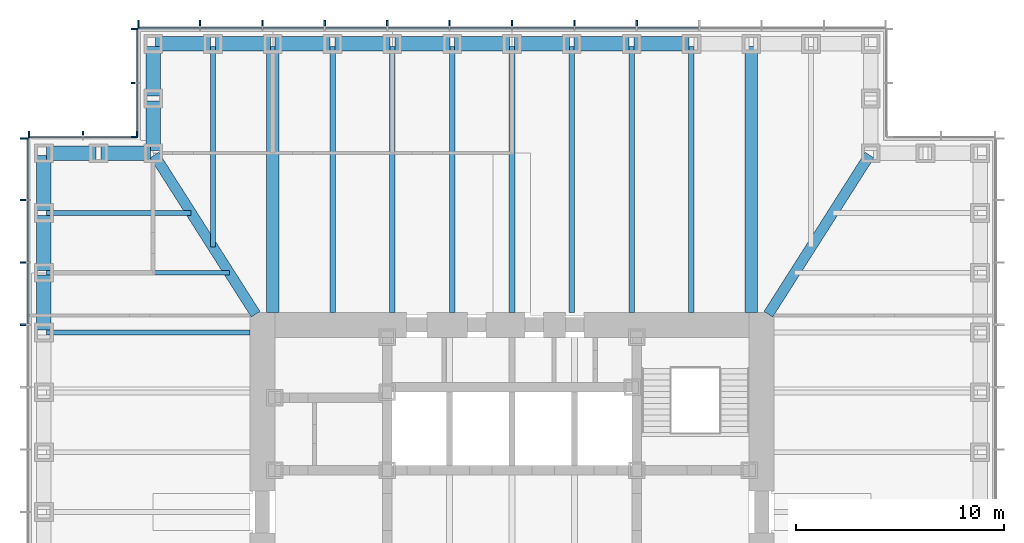
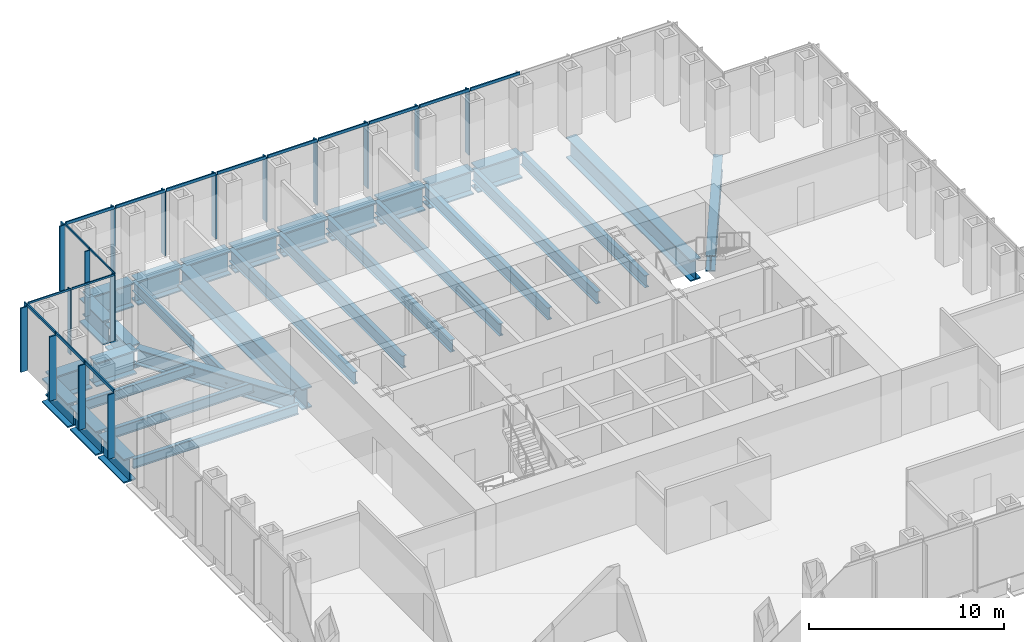
# One storey, part 5 of 16: 35 members, 31 beams, 4 elements without a shape of their own.
"""IFC4 building model written with IfcOpenShell, lengths in metres."""

import ifcopenshell
import ifcopenshell.guid

model = None  # the IFC model being written
_history = None  # IfcOwnerHistory: only IFC2X3 demands one
_inside = {}  # id of a spatial element -> (the spatial element, [elements in it])
_under = {}  # id of a project, library or spatial element -> (it, [spatial elements below it])
_declared = {}  # id of a project -> (the project, [libraries it declares])
_typed = {}  # id of a type object -> (the type object, [elements of that type])
_made_of = {}  # id of a material, layer set ... -> (it, [elements and type objects made of it])


def new_model(schema):
    """Start an empty IFC model of exactly this schema.

    Asked for "IFC4X3", IfcOpenShell would pick the latest addendum, in which some entities
    have other attributes; the version numbers below select the first issue.
    IFC2X3 requires an IfcOwnerHistory on every rooted entity: one is made here for all.
    """
    global model, _history
    if schema == "IFC4X3":
        model = ifcopenshell.file(schema_version=(4, 3, 0, 0))
    else:
        model = ifcopenshell.file(schema=schema)
    _inside.clear()
    _under.clear()
    _declared.clear()
    _typed.clear()
    _made_of.clear()
    _history = None
    if model.schema == "IFC2X3":
        org = make("IfcOrganization", Name="unknown")
        user = make(
            "IfcPersonAndOrganization",
            ThePerson=make("IfcPerson", FamilyName="unknown"),
            TheOrganization=org,
        )
        app = make(
            "IfcApplication",
            ApplicationDeveloper=org,
            Version="unknown",
            ApplicationFullName="unknown",
            ApplicationIdentifier="unknown",
        )
        _history = make(
            "IfcOwnerHistory",
            OwningUser=user,
            OwningApplication=app,
            ChangeAction="ADDED",
            CreationDate=0,
        )
    return model


def make(cls, **values):
    """One entity of the class cls with the attributes given. An attribute that is None is left unset."""
    return model.create_entity(
        cls, **{name: value for name, value in values.items() if value is not None}
    )


def rooted(cls, **values):
    """An entity with a GlobalId (a new one), such as an element, a storey or a relation."""
    return make(cls, GlobalId=ifcopenshell.guid.new(), OwnerHistory=_history, **values)


def si_unit(unit_type, name, prefix=None):
    """IfcSIUnit, for example si_unit("LENGTHUNIT", "METRE", prefix="MILLI")."""
    return make("IfcSIUnit", UnitType=unit_type, Prefix=prefix, Name=name)


def assignment(units):
    """IfcUnitAssignment: the units of a project."""
    return None if units is None else make("IfcUnitAssignment", Units=units)


def point(xyz):
    """IfcCartesianPoint."""
    return None if xyz is None else make("IfcCartesianPoint", Coordinates=xyz)


def direction(xyz):
    """IfcDirection."""
    return None if xyz is None else make("IfcDirection", DirectionRatios=xyz)


def frame(location, z_axis=None, x_axis=None):
    """IfcAxis2Placement3D, a coordinate frame: its origin and axes. An axis left out is left unset."""
    return make(
        "IfcAxis2Placement3D",
        Location=point(location),
        Axis=direction(z_axis),
        RefDirection=direction(x_axis),
    )


def frame_2d(location, x_axis=None):
    """IfcAxis2Placement2D, a coordinate frame in the plane: its origin and x axis."""
    return make(
        "IfcAxis2Placement2D", Location=point(location), RefDirection=direction(x_axis)
    )


def origin():
    """The frame at (0, 0, 0) with its axes left unset."""
    return frame((0.0, 0.0, 0.0))


def origin_2d():
    """The frame at (0, 0) in the plane with its x axis left unset."""
    return frame_2d((0.0, 0.0))


def place(relative_to, where):
    """IfcLocalPlacement: puts the frame where relative to a parent placement (None: the world)."""
    return make(
        "IfcLocalPlacement", PlacementRelTo=relative_to, RelativePlacement=where
    )


def context(
    kind, dimensions, precision=None, world=None, true_north=None, identifier=None
):
    """IfcGeometricRepresentationContext, for example the 3D "Model" context."""
    return make(
        "IfcGeometricRepresentationContext",
        ContextIdentifier=identifier,
        ContextType=kind,
        CoordinateSpaceDimension=dimensions,
        Precision=precision,
        WorldCoordinateSystem=world,
        TrueNorth=true_north,
    )


def subcontext(parent, identifier, kind, view, scale=None):
    """IfcGeometricRepresentationSubContext, for example "Body" below "Model"."""
    return make(
        "IfcGeometricRepresentationSubContext",
        ContextIdentifier=identifier,
        ContextType=kind,
        ParentContext=parent,
        TargetScale=scale,
        TargetView=view,
    )


def project(units=None, contexts=None):
    """IfcProject with its units and contexts."""
    return rooted(
        "IfcProject",
        Name="project",
        RepresentationContexts=contexts,
        UnitsInContext=assignment(units),
    )


def spatial(cls, under=None, at=None, **own):
    """A site, building, storey or space (cls), placed at a placement, below another one or the project."""
    s = rooted(cls, ObjectPlacement=at, **own)
    if under is not None:
        _under.setdefault(under.id(), (under, []))[1].append(s)
    return s


def profile(cls, at=None, kind="AREA", **sizes):
    """A parametric profile (cls). Its sizes go by their IFC names, for example OverallWidth=200.0."""
    return make(cls, ProfileType=kind, Position=at, **sizes)


def rectangle(**sizes):
    """IfcRectangleProfileDef."""
    return profile("IfcRectangleProfileDef", **sizes)


def i_section(**sizes):
    """IfcIShapeProfileDef."""
    return profile("IfcIShapeProfileDef", **sizes)


def extrude(swept, where, along, depth):
    """IfcExtrudedAreaSolid: the profile swept, set in the frame where, extruded along a direction by depth."""
    return make(
        "IfcExtrudedAreaSolid",
        SweptArea=swept,
        Position=where,
        ExtrudedDirection=direction(along),
        Depth=depth,
    )


def shape(context_of_items, identifier, shape_type, items):
    """IfcShapeRepresentation: the items that make up one representation, for example the "Body"."""
    return make(
        "IfcShapeRepresentation",
        ContextOfItems=context_of_items,
        RepresentationIdentifier=identifier,
        RepresentationType=shape_type,
        Items=items,
    )


def material(Name=None, Category=None):
    """IfcMaterial."""
    return make("IfcMaterial", Name=Name, Category=Category)


def material_profile(
    of_material, cross_section, Name=None, Category=None, Priority=None
):
    """IfcMaterialProfile: a cross section and its material."""
    return make(
        "IfcMaterialProfile",
        Name=Name,
        Material=of_material,
        Profile=cross_section,
        Priority=Priority,
        Category=Category,
    )


def profile_set(profiles, Name=None, composite=None):
    """IfcMaterialProfileSet."""
    return make(
        "IfcMaterialProfileSet",
        Name=Name,
        MaterialProfiles=profiles,
        CompositeProfile=composite,
    )


def made_of(thing, what):
    """Note that an element or type object is made of a material, layer set ...; save() writes the relation."""
    if what is not None:
        _made_of.setdefault(what.id(), (what, []))[1].append(thing)
    return thing


def type_object(cls, material=None, **own):
    """A type object (cls), such as IfcWallType, which elements share."""
    return made_of(rooted(cls, **own), material)


def element(
    cls,
    number,
    at=None,
    inside=None,
    cuts=None,
    type_object=None,
    material=None,
    context=None,
    identifier="Body",
    shape_type=None,
    held_by="IfcProductDefinitionShape",
    body=None,
    shapes=None,
    **own,
):
    """One element of the class cls, such as IfcWall. Its Tag is "e" and its number.

    at: its placement. inside: the storey or other place that contains it. cuts: it is an
    opening in that element (IfcRelVoidsElement). A single representation is given by context,
    identifier, shape_type and body (its items); several are given by shapes. held_by: the class
    of the entity that holds the representations. save() writes the other relations.
    """
    e = rooted(cls, Tag="e%d" % number, ObjectPlacement=at, **own)
    if body is not None:
        shapes = [shape(context, identifier, shape_type, body)]
    if shapes is not None:
        e.Representation = make(held_by, Representations=shapes)
    if inside is not None:
        _inside.setdefault(inside.id(), (inside, []))[1].append(e)
    if cuts is not None:
        rooted(
            "IfcRelVoidsElement", RelatingBuildingElement=cuts, RelatedOpeningElement=e
        )
    if type_object is not None:
        _typed.setdefault(type_object.id(), (type_object, []))[1].append(e)
    return made_of(e, material)


def aggregate(whole, parts):
    """IfcRelAggregates: a whole, such as a stair, and the parts it consists of."""
    return rooted("IfcRelAggregates", RelatingObject=whole, RelatedObjects=parts)


def save(model, path):
    """Write the relations noted so far, then the file.

    IfcRelAggregates (storeys below a building ...), IfcRelContainedInSpatialStructure (elements
    in a storey), IfcRelDefinesByType, IfcRelAssociatesMaterial and IfcRelDeclares: one each for
    every whole, place, type object, material and project.
    """
    for whole, parts in _under.values():
        aggregate(whole, parts)
    for where, things in _inside.values():
        rooted(
            "IfcRelContainedInSpatialStructure",
            RelatedElements=things,
            RelatingStructure=where,
        )
    for kind, things in _typed.values():
        rooted("IfcRelDefinesByType", RelatedObjects=things, RelatingType=kind)
    for what, things in _made_of.values():
        rooted("IfcRelAssociatesMaterial", RelatedObjects=things, RelatingMaterial=what)
    for by, libraries in _declared.values():
        rooted("IfcRelDeclares", RelatingContext=by, RelatedDefinitions=libraries)
    model.write(path)


model = new_model("IFC4")

# Units and contexts
model_context = context("Model", 3, precision=1e-05, world=origin(), true_north=direction((0.0, 1.0)))
body_context = subcontext(model_context, "Body", "Model", "MODEL_VIEW")
ifc_project = project(units=[si_unit("LENGTHUNIT", "METRE"), si_unit("AREAUNIT", "SQUARE_METRE"), si_unit("VOLUMEUNIT", "CUBIC_METRE"), si_unit("PLANEANGLEUNIT", "RADIAN"), si_unit("MASSUNIT", "GRAM", prefix="KILO")], contexts=[model_context])

# Site, building, storey
site_placement = place(None, origin())
site = spatial("IfcSite", under=ifc_project, at=site_placement, CompositionType="ELEMENT")
building_placement = place(site_placement, origin())
building = spatial("IfcBuilding", under=site, at=building_placement, Name="Daluyong Arena Tower", CompositionType="ELEMENT")
storey_placement = place(building_placement, frame((0.0, 0.0, 137.5)))
storey = spatial("IfcBuildingStorey", under=building, at=storey_placement, Name="L30", CompositionType="ELEMENT", Elevation=137.5)

# Curtain wall, members
ifc_material_1 = material(Name="Bronze anodised aluminium and glass", Category="aluminium")
curtain_wall_type_1 = type_object("IfcCurtainWallType", Name="Curtain wall CW2", PredefinedType="USERDEFINED", material=ifc_material_1)
curtain_wall_1_placement = place(storey_placement, origin())
curtain_wall_1 = element("IfcCurtainWall", 1, at=curtain_wall_1_placement, inside=storey, type_object=curtain_wall_type_1, Name="curtain wall L30 N", ObjectType="UNITISED CURTAIN WALL", PredefinedType="USERDEFINED")
ifc_material_2 = material(Name="Bronze anodised aluminium fin", Category="aluminium")
ifc_material_profile_1 = material_profile(ifc_material_2, rectangle(XDim=0.39990234375, YDim=0.080078125, at=origin_2d()))
ifc_profile_set_1 = profile_set([ifc_material_profile_1], Name="Bronze anodised aluminium fin")
member_type_1 = type_object("IfcMemberType", Name="CW2 bronze fin 400x80", PredefinedType="MULLION", material=ifc_profile_set_1)
member_1_placement = place(storey_placement, frame((62.0, 103.449951171875, 0.0), z_axis=(0.0, 0.0, 1.0), x_axis=(0.0, -1.0, 0.0)))
member_1 = element("IfcMember", 2, at=member_1_placement, type_object=member_type_1, Name="curtain wall L30 N fin 5", PredefinedType="MULLION", context=body_context, shape_type="SweptSolid", body=[
    extrude(rectangle(XDim=0.39990234375, YDim=0.080078125, at=origin_2d()), origin(), (0.0, 0.0, 1.0), 4.02001953125),
])
member_2_placement = place(storey_placement, frame((59.0, 103.449951171875, 0.0), z_axis=(0.0, 0.0, 1.0), x_axis=(0.0, -1.0, 0.0)))
member_2 = element("IfcMember", 3, at=member_2_placement, type_object=member_type_1, Name="curtain wall L30 N fin 6", PredefinedType="MULLION", context=body_context, shape_type="SweptSolid", body=[
    extrude(rectangle(XDim=0.39990234375, YDim=0.080078125, at=origin_2d()), origin(), (0.0, 0.0, 1.0), 4.02001953125),
])
member_3_placement = place(storey_placement, frame((56.0, 103.449951171875, 0.0), z_axis=(0.0, 0.0, 1.0), x_axis=(0.0, -1.0, 0.0)))
member_3 = element("IfcMember", 4, at=member_3_placement, type_object=member_type_1, Name="curtain wall L30 N fin 7", PredefinedType="MULLION", context=body_context, shape_type="SweptSolid", body=[
    extrude(rectangle(XDim=0.39990234375, YDim=0.080078125, at=origin_2d()), origin(), (0.0, 0.0, 1.0), 4.02001953125),
])
member_4_placement = place(storey_placement, frame((53.0, 103.449951171875, 0.0), z_axis=(0.0, 0.0, 1.0), x_axis=(0.0, -1.0, 0.0)))
member_4 = element("IfcMember", 5, at=member_4_placement, type_object=member_type_1, Name="curtain wall L30 N fin 8", PredefinedType="MULLION", context=body_context, shape_type="SweptSolid", body=[
    extrude(rectangle(XDim=0.39990234375, YDim=0.080078125, at=origin_2d()), origin(), (0.0, 0.0, 1.0), 4.02001953125),
])
member_5_placement = place(storey_placement, frame((50.0, 103.449951171875, 0.0), z_axis=(0.0, 0.0, 1.0), x_axis=(0.0, -1.0, 0.0)))
member_5 = element("IfcMember", 6, at=member_5_placement, type_object=member_type_1, Name="curtain wall L30 N fin 9", PredefinedType="MULLION", context=body_context, shape_type="SweptSolid", body=[
    extrude(rectangle(XDim=0.39990234375, YDim=0.080078125, at=origin_2d()), origin(), (0.0, 0.0, 1.0), 4.02001953125),
])
member_6_placement = place(storey_placement, frame((47.0, 103.449951171875, 0.0), z_axis=(0.0, 0.0, 1.0), x_axis=(0.0, -1.0, 0.0)))
member_6 = element("IfcMember", 7, at=member_6_placement, type_object=member_type_1, Name="curtain wall L30 N fin 10", PredefinedType="MULLION", context=body_context, shape_type="SweptSolid", body=[
    extrude(rectangle(XDim=0.39990234375, YDim=0.080078125, at=origin_2d()), origin(), (0.0, 0.0, 1.0), 4.02001953125),
])
member_7_placement = place(storey_placement, frame((44.0, 103.449951171875, 0.0), z_axis=(0.0, 0.0, 1.0), x_axis=(0.0, -1.0, 0.0)))
member_7 = element("IfcMember", 8, at=member_7_placement, type_object=member_type_1, Name="curtain wall L30 N fin 11", PredefinedType="MULLION", context=body_context, shape_type="SweptSolid", body=[
    extrude(rectangle(XDim=0.39990234375, YDim=0.080078125, at=origin_2d()), origin(), (0.0, 0.0, 1.0), 4.02001953125),
])
member_8_placement = place(storey_placement, frame((41.0, 103.449951171875, 0.0), z_axis=(0.0, 0.0, 1.0), x_axis=(0.0, -1.0, 0.0)))
member_8 = element("IfcMember", 9, at=member_8_placement, type_object=member_type_1, Name="curtain wall L30 N fin 12", PredefinedType="MULLION", context=body_context, shape_type="SweptSolid", body=[
    extrude(rectangle(XDim=0.39990234375, YDim=0.080078125, at=origin_2d()), origin(), (0.0, 0.0, 1.0), 4.02001953125),
])
member_9_placement = place(storey_placement, frame((38.0400390625, 103.449951171875, 0.0), z_axis=(0.0, 0.0, 1.0), x_axis=(0.0, -1.0, 0.0)))
member_9 = element("IfcMember", 10, at=member_9_placement, type_object=member_type_1, Name="curtain wall L30 N fin 13", PredefinedType="MULLION", context=body_context, shape_type="SweptSolid", body=[
    extrude(rectangle(XDim=0.39990234375, YDim=0.080078125, at=origin_2d()), origin(), (0.0, 0.0, 1.0), 4.02001953125),
])

curtain_wall_2_placement = place(storey_placement, origin())
curtain_wall_2 = element("IfcCurtainWall", 11, at=curtain_wall_2_placement, inside=storey, type_object=curtain_wall_type_1, Name="curtain wall L30 W", ObjectType="UNITISED CURTAIN WALL", PredefinedType="USERDEFINED")
member_10_placement = place(storey_placement, frame((32.550048828125, 97.9599609375, 0.0), z_axis=(0.0, 0.0, 1.0), x_axis=(1.0, 0.0, 0.0)))
member_10 = element("IfcMember", 12, at=member_10_placement, type_object=member_type_1, Name="curtain wall L30 W fin 1", PredefinedType="MULLION", context=body_context, shape_type="SweptSolid", body=[
    extrude(rectangle(XDim=0.39990234375, YDim=0.080078125, at=origin_2d()), origin(), (0.0, 0.0, 1.0), 4.02001953125),
])
member_11_placement = place(storey_placement, frame((32.550048828125, 95.0, 0.0), z_axis=(0.0, 0.0, 1.0), x_axis=(1.0, 0.0, 0.0)))
member_11 = element("IfcMember", 13, at=member_11_placement, type_object=member_type_1, Name="curtain wall L30 W fin 2", PredefinedType="MULLION", context=body_context, shape_type="SweptSolid", body=[
    extrude(rectangle(XDim=0.39990234375, YDim=0.080078125, at=origin_2d()), origin(), (0.0, 0.0, 1.0), 4.02001953125),
])
member_12_placement = place(storey_placement, frame((32.550048828125, 92.0, 0.0), z_axis=(0.0, 0.0, 1.0), x_axis=(1.0, 0.0, 0.0)))
member_12 = element("IfcMember", 14, at=member_12_placement, type_object=member_type_1, Name="curtain wall L30 W fin 3", PredefinedType="MULLION", context=body_context, shape_type="SweptSolid", body=[
    extrude(rectangle(XDim=0.39990234375, YDim=0.080078125, at=origin_2d()), origin(), (0.0, 0.0, 1.0), 4.02001953125),
])
member_13_placement = place(storey_placement, frame((32.550048828125, 89.0, 0.0), z_axis=(0.0, 0.0, 1.0), x_axis=(1.0, 0.0, 0.0)))
member_13 = element("IfcMember", 15, at=member_13_placement, type_object=member_type_1, Name="curtain wall L30 W fin 4", PredefinedType="MULLION", context=body_context, shape_type="SweptSolid", body=[
    extrude(rectangle(XDim=0.39990234375, YDim=0.080078125, at=origin_2d()), origin(), (0.0, 0.0, 1.0), 4.02001953125),
])

# Member
ifc_material_3 = material(Name="Bronze anodised aluminium", Category="aluminium")
ifc_material_profile_2 = material_profile(ifc_material_3, rectangle(XDim=0.080078125, YDim=0.179931640625, at=origin_2d()))
ifc_profile_set_2 = profile_set([ifc_material_profile_2], Name="Bronze anodised aluminium")
member_type_2 = type_object("IfcMemberType", Name="CW2 stack transom 180x80", PredefinedType="USERDEFINED", material=ifc_profile_set_2)
member_14_placement = place(storey_placement, frame((64.9599609375, 103.25, 4.110107421875), z_axis=(-1.0, 0.0, 0.0), x_axis=(0.0, -1.0, 0.0)))
member_14 = element("IfcMember", 16, at=member_14_placement, type_object=member_type_2, Name="curtain wall L30 N transom 4", ObjectType="TRANSOM", PredefinedType="USERDEFINED", context=body_context, shape_type="SweptSolid", body=[
    extrude(rectangle(XDim=0.080078125, YDim=0.179931640625, at=origin_2d()), origin(), (0.0, 0.0, 1.0), 2.919921875),
])

member_15_placement = place(storey_placement, frame((61.9599609375, 103.25, 4.110107421875), z_axis=(-1.0, 0.0, 0.0), x_axis=(0.0, -1.0, 0.0)))
member_15 = element("IfcMember", 17, at=member_15_placement, type_object=member_type_2, Name="curtain wall L30 N transom 5", ObjectType="TRANSOM", PredefinedType="USERDEFINED", context=body_context, shape_type="SweptSolid", body=[
    extrude(rectangle(XDim=0.080078125, YDim=0.179931640625, at=origin_2d()), origin(), (0.0, 0.0, 1.0), 2.919921875),
])

member_16_placement = place(storey_placement, frame((58.9599609375, 103.25, 4.110107421875), z_axis=(-1.0, 0.0, 0.0), x_axis=(0.0, -1.0, 0.0)))
member_16 = element("IfcMember", 18, at=member_16_placement, type_object=member_type_2, Name="curtain wall L30 N transom 6", ObjectType="TRANSOM", PredefinedType="USERDEFINED", context=body_context, shape_type="SweptSolid", body=[
    extrude(rectangle(XDim=0.080078125, YDim=0.179931640625, at=origin_2d()), origin(), (0.0, 0.0, 1.0), 2.919921875),
])

member_17_placement = place(storey_placement, frame((55.9599609375, 103.25, 4.110107421875), z_axis=(-1.0, 0.0, 0.0), x_axis=(0.0, -1.0, 0.0)))
member_17 = element("IfcMember", 19, at=member_17_placement, type_object=member_type_2, Name="curtain wall L30 N transom 7", ObjectType="TRANSOM", PredefinedType="USERDEFINED", context=body_context, shape_type="SweptSolid", body=[
    extrude(rectangle(XDim=0.080078125, YDim=0.179931640625, at=origin_2d()), origin(), (0.0, 0.0, 1.0), 2.919921875),
])

member_18_placement = place(storey_placement, frame((52.9599609375, 103.25, 4.110107421875), z_axis=(-1.0, 0.0, 0.0), x_axis=(0.0, -1.0, 0.0)))
member_18 = element("IfcMember", 20, at=member_18_placement, type_object=member_type_2, Name="curtain wall L30 N transom 8", ObjectType="TRANSOM", PredefinedType="USERDEFINED", context=body_context, shape_type="SweptSolid", body=[
    extrude(rectangle(XDim=0.080078125, YDim=0.179931640625, at=origin_2d()), origin(), (0.0, 0.0, 1.0), 2.919921875),
])

member_19_placement = place(storey_placement, frame((49.9599609375, 103.25, 4.110107421875), z_axis=(-1.0, 0.0, 0.0), x_axis=(0.0, -1.0, 0.0)))
member_19 = element("IfcMember", 21, at=member_19_placement, type_object=member_type_2, Name="curtain wall L30 N transom 9", ObjectType="TRANSOM", PredefinedType="USERDEFINED", context=body_context, shape_type="SweptSolid", body=[
    extrude(rectangle(XDim=0.080078125, YDim=0.179931640625, at=origin_2d()), origin(), (0.0, 0.0, 1.0), 2.919921875),
])

member_20_placement = place(storey_placement, frame((46.9599609375, 103.25, 4.110107421875), z_axis=(-1.0, 0.0, 0.0), x_axis=(0.0, -1.0, 0.0)))
member_20 = element("IfcMember", 22, at=member_20_placement, type_object=member_type_2, Name="curtain wall L30 N transom 10", ObjectType="TRANSOM", PredefinedType="USERDEFINED", context=body_context, shape_type="SweptSolid", body=[
    extrude(rectangle(XDim=0.080078125, YDim=0.179931640625, at=origin_2d()), origin(), (0.0, 0.0, 1.0), 2.919921875),
])

member_21_placement = place(storey_placement, frame((43.9599609375, 103.25, 4.110107421875), z_axis=(-1.0, 0.0, 0.0), x_axis=(0.0, -1.0, 0.0)))
member_21 = element("IfcMember", 23, at=member_21_placement, type_object=member_type_2, Name="curtain wall L30 N transom 11", ObjectType="TRANSOM", PredefinedType="USERDEFINED", context=body_context, shape_type="SweptSolid", body=[
    extrude(rectangle(XDim=0.080078125, YDim=0.179931640625, at=origin_2d()), origin(), (0.0, 0.0, 1.0), 2.919921875),
])

member_22_placement = place(storey_placement, frame((40.9599609375, 103.25, 4.110107421875), z_axis=(-1.0, 0.0, 0.0), x_axis=(0.0, -1.0, 0.0)))
member_22 = element("IfcMember", 24, at=member_22_placement, type_object=member_type_2, Name="curtain wall L30 N transom 12", ObjectType="TRANSOM", PredefinedType="USERDEFINED", context=body_context, shape_type="SweptSolid", body=[
    extrude(rectangle(XDim=0.080078125, YDim=0.179931640625, at=origin_2d()), origin(), (0.0, 0.0, 1.0), 2.8798828125),
])

aggregate(curtain_wall_1, [member_1, member_2, member_3, member_4, member_5, member_6, member_7, member_8, member_9, member_14, member_15, member_16, member_17, member_18, member_19, member_20, member_21, member_22])

member_23_placement = place(storey_placement, frame((32.75, 97.919921875, 4.110107421875), z_axis=(0.0, -1.0, 0.0), x_axis=(1.0, 0.0, 0.0)))
member_23 = element("IfcMember", 25, at=member_23_placement, type_object=member_type_2, Name="curtain wall L30 W transom 1", ObjectType="TRANSOM", PredefinedType="USERDEFINED", context=body_context, shape_type="SweptSolid", body=[
    extrude(rectangle(XDim=0.080078125, YDim=0.179931640625, at=origin_2d()), origin(), (0.0, 0.0, 1.0), 2.8798828125),
])

member_24_placement = place(storey_placement, frame((32.75, 94.9599609375, 4.110107421875), z_axis=(0.0, -1.0, 0.0), x_axis=(1.0, 0.0, 0.0)))
member_24 = element("IfcMember", 26, at=member_24_placement, type_object=member_type_2, Name="curtain wall L30 W transom 2", ObjectType="TRANSOM", PredefinedType="USERDEFINED", context=body_context, shape_type="SweptSolid", body=[
    extrude(rectangle(XDim=0.080078125, YDim=0.179931640625, at=origin_2d()), origin(), (0.0, 0.0, 1.0), 2.919921875),
])

member_25_placement = place(storey_placement, frame((32.75, 91.9599609375, 4.110107421875), z_axis=(0.0, -1.0, 0.0), x_axis=(1.0, 0.0, 0.0)))
member_25 = element("IfcMember", 27, at=member_25_placement, type_object=member_type_2, Name="curtain wall L30 W transom 3", ObjectType="TRANSOM", PredefinedType="USERDEFINED", context=body_context, shape_type="SweptSolid", body=[
    extrude(rectangle(XDim=0.080078125, YDim=0.179931640625, at=origin_2d()), origin(), (0.0, 0.0, 1.0), 2.919921875),
])

aggregate(curtain_wall_2, [member_10, member_11, member_12, member_13, member_23, member_24, member_25])

# Curtain wall, members
ifc_material_4 = material(Name="Bronze anodised aluminium and glass", Category="aluminium")
curtain_wall_type_2 = type_object("IfcCurtainWallType", Name="Curtain wall CW7", PredefinedType="USERDEFINED", material=ifc_material_4)
curtain_wall_3_placement = place(storey_placement, origin())
curtain_wall_3 = element("IfcCurtainWall", 28, at=curtain_wall_3_placement, inside=storey, type_object=curtain_wall_type_2, Name="curtain wall L30 NW-W", ObjectType="UNITISED CURTAIN WALL", PredefinedType="USERDEFINED")
ifc_material_5 = material(Name="Bronze anodised aluminium fin", Category="aluminium")
ifc_material_profile_3 = material_profile(ifc_material_5, rectangle(XDim=0.300048828125, YDim=0.06005859375, at=origin_2d()))
ifc_profile_set_3 = profile_set([ifc_material_profile_3], Name="Bronze anodised aluminium fin")
member_type_3 = type_object("IfcMemberType", Name="CW7 bronze fin 300x60", PredefinedType="MULLION", material=ifc_profile_set_3)
member_26_placement = place(storey_placement, frame((37.85009765625, 103.219970703125, 0.0), z_axis=(0.0, 0.0, 1.0), x_axis=(1.0, 0.0, 0.0)))
member_26 = element("IfcMember", 29, at=member_26_placement, type_object=member_type_3, Name="curtain wall L30 NW-W fin 1", PredefinedType="MULLION", context=body_context, shape_type="SweptSolid", body=[
    extrude(rectangle(XDim=0.300048828125, YDim=0.06005859375, at=origin_2d()), origin(), (0.0, 0.0, 1.0), 4.080078125),
])
member_27_placement = place(storey_placement, frame((37.85009765625, 100.625, 0.0), z_axis=(0.0, 0.0, 1.0), x_axis=(1.0, 0.0, 0.0)))
member_27 = element("IfcMember", 30, at=member_27_placement, type_object=member_type_3, Name="curtain wall L30 NW-W fin 2", PredefinedType="MULLION", context=body_context, shape_type="SweptSolid", body=[
    extrude(rectangle(XDim=0.300048828125, YDim=0.06005859375, at=origin_2d()), origin(), (0.0, 0.0, 1.0), 4.080078125),
])
member_28_placement = place(storey_placement, frame((37.85009765625, 98.030029296875, 0.0), z_axis=(0.0, 0.0, 1.0), x_axis=(1.0, 0.0, 0.0)))
member_28 = element("IfcMember", 31, at=member_28_placement, type_object=member_type_3, Name="curtain wall L30 NW-W fin 3", PredefinedType="MULLION", context=body_context, shape_type="SweptSolid", body=[
    extrude(rectangle(XDim=0.300048828125, YDim=0.06005859375, at=origin_2d()), origin(), (0.0, 0.0, 1.0), 4.080078125),
])

curtain_wall_4_placement = place(storey_placement, origin())
curtain_wall_4 = element("IfcCurtainWall", 32, at=curtain_wall_4_placement, inside=storey, type_object=curtain_wall_type_2, Name="curtain wall L30 NW-N", ObjectType="UNITISED CURTAIN WALL", PredefinedType="USERDEFINED")
member_29_placement = place(storey_placement, frame((37.969970703125, 98.14990234375, 0.0), z_axis=(0.0, 0.0, 1.0), x_axis=(0.0, -1.0, 0.0)))
member_29 = element("IfcMember", 33, at=member_29_placement, type_object=member_type_3, Name="curtain wall L30 NW-N fin 1", PredefinedType="MULLION", context=body_context, shape_type="SweptSolid", body=[
    extrude(rectangle(XDim=0.300048828125, YDim=0.06005859375, at=origin_2d()), origin(), (0.0, 0.0, 1.0), 4.080078125),
])
member_30_placement = place(storey_placement, frame((35.375, 98.14990234375, 0.0), z_axis=(0.0, 0.0, 1.0), x_axis=(0.0, -1.0, 0.0)))
member_30 = element("IfcMember", 34, at=member_30_placement, type_object=member_type_3, Name="curtain wall L30 NW-N fin 2", PredefinedType="MULLION", context=body_context, shape_type="SweptSolid", body=[
    extrude(rectangle(XDim=0.300048828125, YDim=0.06005859375, at=origin_2d()), origin(), (0.0, 0.0, 1.0), 4.080078125),
])
member_31_placement = place(storey_placement, frame((32.780029296875, 98.14990234375, 0.0), z_axis=(0.0, 0.0, 1.0), x_axis=(0.0, -1.0, 0.0)))
member_31 = element("IfcMember", 35, at=member_31_placement, type_object=member_type_3, Name="curtain wall L30 NW-N fin 3", PredefinedType="MULLION", context=body_context, shape_type="SweptSolid", body=[
    extrude(rectangle(XDim=0.300048828125, YDim=0.06005859375, at=origin_2d()), origin(), (0.0, 0.0, 1.0), 4.080078125),
])

# Member
ifc_material_6 = material(Name="Bronze anodised aluminium", Category="aluminium")
ifc_material_profile_4 = material_profile(ifc_material_6, rectangle(XDim=0.06005859375, YDim=0.1201171875, at=origin_2d()))
ifc_profile_set_4 = profile_set([ifc_material_profile_4], Name="Bronze anodised aluminium")
member_type_4 = type_object("IfcMemberType", Name="CW7 stack transom 120x60", PredefinedType="USERDEFINED", material=ifc_profile_set_4)
member_32_placement = place(storey_placement, frame((38.0, 103.18994140625, 4.139892578125), z_axis=(0.0, -1.0, 0.0), x_axis=(1.0, 0.0, 0.0)))
member_32 = element("IfcMember", 36, at=member_32_placement, type_object=member_type_4, Name="curtain wall L30 NW-W transom 1", ObjectType="TRANSOM", PredefinedType="USERDEFINED", context=body_context, shape_type="SweptSolid", body=[
    extrude(rectangle(XDim=0.06005859375, YDim=0.1201171875, at=origin_2d()), origin(), (0.0, 0.0, 1.0), 2.534912109375),
])

member_33_placement = place(storey_placement, frame((38.0, 100.594970703125, 4.139892578125), z_axis=(0.0, -1.0, 0.0), x_axis=(1.0, 0.0, 0.0)))
member_33 = element("IfcMember", 37, at=member_33_placement, type_object=member_type_4, Name="curtain wall L30 NW-W transom 2", ObjectType="TRANSOM", PredefinedType="USERDEFINED", context=body_context, shape_type="SweptSolid", body=[
    extrude(rectangle(XDim=0.06005859375, YDim=0.1201171875, at=origin_2d()), origin(), (0.0, 0.0, 1.0), 2.534912109375),
])

aggregate(curtain_wall_3, [member_26, member_27, member_28, member_32, member_33])

member_34_placement = place(storey_placement, frame((37.93994140625, 98.0, 4.139892578125), z_axis=(-1.0, 0.0, 0.0), x_axis=(0.0, -1.0, 0.0)))
member_34 = element("IfcMember", 38, at=member_34_placement, type_object=member_type_4, Name="curtain wall L30 NW-N transom 1", ObjectType="TRANSOM", PredefinedType="USERDEFINED", context=body_context, shape_type="SweptSolid", body=[
    extrude(rectangle(XDim=0.06005859375, YDim=0.1201171875, at=origin_2d()), origin(), (0.0, 0.0, 1.0), 2.534912109375),
])

member_35_placement = place(storey_placement, frame((35.344970703125, 98.0, 4.139892578125), z_axis=(-1.0, 0.0, 0.0), x_axis=(0.0, -1.0, 0.0)))
member_35 = element("IfcMember", 39, at=member_35_placement, type_object=member_type_4, Name="curtain wall L30 NW-N transom 2", ObjectType="TRANSOM", PredefinedType="USERDEFINED", context=body_context, shape_type="SweptSolid", body=[
    extrude(rectangle(XDim=0.06005859375, YDim=0.1201171875, at=origin_2d()), origin(), (0.0, 0.0, 1.0), 2.534912109375),
])

aggregate(curtain_wall_4, [member_29, member_30, member_31, member_34, member_35])

# Beams
ifc_material_7 = material(Name="Steel ASTM A572 Grade 50", Category="steel")
ifc_material_profile_5 = material_profile(ifc_material_7, i_section(OverallWidth=0.5, OverallDepth=1.0, WebThickness=0.03, FlangeThickness=0.06, at=origin_2d()))
ifc_profile_set_5 = profile_set([ifc_material_profile_5], Name="Steel ASTM A572 Grade 50")
beam_type_1 = type_object("IfcBeamType", Name="Corner girder TB1000X500", PredefinedType="BEAM", material=ifc_profile_set_5)
for number, where, z_axis, x_axis, name in (
    (40, (73.188232421875, 97.153076171875, -0.659912109375), (-0.536872006459, -0.843663705916, 0.0), (0.843663705916, -0.536872006459, 0.0), "corner girder DG2"),
    (41, (38.811767578125, 97.153076171875, -0.659912109375), (0.536872006459, -0.843663705916, 0.0), (0.843663705916, 0.536872006459, 0.0), "corner girder DG2"),
):
    element("IfcBeam", number, at=place(storey_placement, frame(where, z_axis=z_axis, x_axis=x_axis)), inside=storey, type_object=beam_type_1, Name=name, PredefinedType="BEAM", context=body_context, shape_type="SweptSolid", body=[
        extrude(i_section(OverallWidth=0.5, OverallDepth=1.0, WebThickness=0.03, FlangeThickness=0.06, at=origin_2d()), origin(), (0.0, 0.0, 1.0), 9.06396484375),
    ])
ifc_material_8 = material(Name="Steel ASTM A572 Grade 50", Category="steel")
ifc_material_profile_6 = material_profile(ifc_material_8, i_section(OverallWidth=0.60009765625, OverallDepth=1.300048828125, WebThickness=0.035, FlangeThickness=0.07, at=origin_2d()))
ifc_profile_set_6 = profile_set([ifc_material_profile_6], Name="Steel ASTM A572 Grade 50")
beam_type_2 = type_object("IfcBeamType", Name="Floor beam TB1300X600", PredefinedType="BEAM", material=ifc_profile_set_6)
for number, where, z_axis, x_axis, name in (
    (42, (67.5, 102.385009765625, -0.81005859375), (0.0, -1.0, 0.0), (1.0, 0.0, 0.0), "floor beam FB7"),
    (43, (44.5, 102.385009765625, -0.81005859375), (0.0, -1.0, 0.0), (1.0, 0.0, 0.0), "floor beam FB7"),
):
    element("IfcBeam", number, at=place(storey_placement, frame(where, z_axis=z_axis, x_axis=x_axis)), inside=storey, type_object=beam_type_2, Name=name, PredefinedType="BEAM", context=body_context, shape_type="SweptSolid", body=[
        extrude(i_section(OverallWidth=0.60009765625, OverallDepth=1.300048828125, WebThickness=0.035, FlangeThickness=0.07, at=origin_2d()), origin(), (0.0, 0.0, 1.0), 12.784912109375),
    ])
ifc_material_9 = material(Name="Steel ASTM A992 Grade 50", Category="steel")
ifc_material_profile_7 = material_profile(ifc_material_9, i_section(OverallWidth=0.22900390625, OverallDepth=0.612060546875, WebThickness=0.011962890625, FlangeThickness=0.01953125, at=origin_2d()))
ifc_profile_set_7 = profile_set([ifc_material_profile_7], Name="Steel ASTM A992 Grade 50")
beam_type_3 = type_object("IfcBeamType", Name="Floor beam W24X84", PredefinedType="BEAM", material=ifc_profile_set_7)
beam_1_placement = place(storey_placement, frame((41.625, 102.385009765625, -0.466064453125), z_axis=(0.0, -1.0, 0.0), x_axis=(1.0, 0.0, 0.0)))
element("IfcBeam", 44, at=beam_1_placement, inside=storey, type_object=beam_type_3, Name="floor beam FB3", PredefinedType="BEAM", context=body_context, shape_type="SweptSolid", body=[
    extrude(i_section(OverallWidth=0.22900390625, OverallDepth=0.612060546875, WebThickness=0.011962890625, FlangeThickness=0.01953125, at=origin_2d()), origin(), (0.0, 0.0, 1.0), 9.65283203125),
])
beam_2_placement = place(storey_placement, frame((33.614990234375, 94.375, -0.466064453125), z_axis=(1.0, 0.0, 0.0), x_axis=(0.0, 1.0, 0.0)))
element("IfcBeam", 45, at=beam_2_placement, inside=storey, type_object=beam_type_3, Name="floor beam FB3", PredefinedType="BEAM", context=body_context, shape_type="SweptSolid", body=[
    extrude(i_section(OverallWidth=0.22900390625, OverallDepth=0.612060546875, WebThickness=0.011962890625, FlangeThickness=0.01953125, at=origin_2d()), origin(), (0.0, 0.0, 1.0), 6.964599609375),
])
beam_3_placement = place(storey_placement, frame((33.614990234375, 91.5, -0.466064453125), z_axis=(1.0, 0.0, 0.0), x_axis=(0.0, 1.0, 0.0)))
element("IfcBeam", 46, at=beam_3_placement, inside=storey, type_object=beam_type_3, Name="floor beam FB3", PredefinedType="BEAM", context=body_context, shape_type="SweptSolid", body=[
    extrude(i_section(OverallWidth=0.22900390625, OverallDepth=0.612060546875, WebThickness=0.011962890625, FlangeThickness=0.01953125, at=origin_2d()), origin(), (0.0, 0.0, 1.0), 8.794189453125),
])
beam_4_placement = place(storey_placement, frame((33.614990234375, 88.625, -0.466064453125), z_axis=(1.0, 0.0, 0.0), x_axis=(0.0, 1.0, 0.0)))
element("IfcBeam", 47, at=beam_4_placement, inside=storey, type_object=beam_type_3, Name="floor beam FB3", PredefinedType="BEAM", context=body_context, shape_type="SweptSolid", body=[
    extrude(i_section(OverallWidth=0.22900390625, OverallDepth=0.612060546875, WebThickness=0.011962890625, FlangeThickness=0.01953125, at=origin_2d()), origin(), (0.0, 0.0, 1.0), 9.784912109375),
])
ifc_material_10 = material(Name="Steel ASTM A992 Grade 50", Category="steel")
ifc_material_profile_8 = material_profile(ifc_material_10, i_section(OverallWidth=0.2666015625, OverallDepth=0.761962890625, WebThickness=0.014404296875, FlangeThickness=0.021484375, at=origin_2d()))
ifc_profile_set_8 = profile_set([ifc_material_profile_8], Name="Steel ASTM A992 Grade 50")
beam_type_4 = type_object("IfcBeamType", Name="Floor beam W30X116", PredefinedType="BEAM", material=ifc_profile_set_8)
for number, where, z_axis, x_axis, name in (
    (48, (64.625, 102.385009765625, -0.541015625), (0.0, -1.0, 0.0), (1.0, 0.0, 0.0), "floor beam FB4"),
    (49, (61.75, 102.385009765625, -0.541015625), (0.0, -1.0, 0.0), (1.0, 0.0, 0.0), "floor beam FB4"),
    (50, (58.875, 102.385009765625, -0.541015625), (0.0, -1.0, 0.0), (1.0, 0.0, 0.0), "floor beam FB4"),
    (51, (56.0, 102.385009765625, -0.541015625), (0.0, -1.0, 0.0), (1.0, 0.0, 0.0), "floor beam FB4"),
    (52, (53.125, 102.385009765625, -0.541015625), (0.0, -1.0, 0.0), (1.0, 0.0, 0.0), "floor beam FB4"),
    (53, (50.25, 102.385009765625, -0.541015625), (0.0, -1.0, 0.0), (1.0, 0.0, 0.0), "floor beam FB4"),
    (54, (47.375, 102.385009765625, -0.541015625), (0.0, -1.0, 0.0), (1.0, 0.0, 0.0), "floor beam FB4"),
):
    element("IfcBeam", number, at=place(storey_placement, frame(where, z_axis=z_axis, x_axis=x_axis)), inside=storey, type_object=beam_type_4, Name=name, PredefinedType="BEAM", context=body_context, shape_type="SweptSolid", body=[
        extrude(i_section(OverallWidth=0.2666015625, OverallDepth=0.761962890625, WebThickness=0.014404296875, FlangeThickness=0.021484375, at=origin_2d()), origin(), (0.0, 0.0, 1.0), 12.784912109375),
    ])
ifc_material_11 = material(Name="Steel ASTM A572 Grade 50", Category="steel")
ifc_material_profile_9 = material_profile(ifc_material_11, i_section(OverallWidth=0.699951171875, OverallDepth=1.5, WebThickness=0.04, FlangeThickness=0.08, at=origin_2d()))
ifc_profile_set_9 = profile_set([ifc_material_profile_9], Name="Steel ASTM A572 Grade 50")
beam_type_5 = type_object("IfcBeamType", Name="Spandrel Z2 PG1500X700", PredefinedType="SPANDREL", material=ifc_profile_set_9)
for number, where, z_axis, x_axis, name in (
    (55, (64.510009765625, 102.5, -0.909912109375), (-1.0, 0.0, 0.0), (0.0, -1.0, 0.0), "spandrel z2 SB6"),
    (56, (61.635009765625, 102.5, -0.909912109375), (-1.0, 0.0, 0.0), (0.0, -1.0, 0.0), "spandrel z2 SB6"),
    (57, (58.760009765625, 102.5, -0.909912109375), (-1.0, 0.0, 0.0), (0.0, -1.0, 0.0), "spandrel z2 SB6"),
    (58, (55.885009765625, 102.5, -0.909912109375), (-1.0, 0.0, 0.0), (0.0, -1.0, 0.0), "spandrel z2 SB6"),
    (59, (53.010009765625, 102.5, -0.909912109375), (-1.0, 0.0, 0.0), (0.0, -1.0, 0.0), "spandrel z2 SB6"),
    (60, (50.135009765625, 102.5, -0.909912109375), (-1.0, 0.0, 0.0), (0.0, -1.0, 0.0), "spandrel z2 SB6"),
    (61, (47.260009765625, 102.5, -0.909912109375), (-1.0, 0.0, 0.0), (0.0, -1.0, 0.0), "spandrel z2 SB6"),
    (62, (44.385009765625, 102.5, -0.909912109375), (-1.0, 0.0, 0.0), (0.0, -1.0, 0.0), "spandrel z2 SB6"),
    (63, (41.510009765625, 102.5, -0.909912109375), (-1.0, 0.0, 0.0), (0.0, -1.0, 0.0), "spandrel z2 SB6"),
):
    element("IfcBeam", number, at=place(storey_placement, frame(where, z_axis=z_axis, x_axis=x_axis)), inside=storey, type_object=beam_type_5, Name=name, PredefinedType="SPANDREL", context=body_context, shape_type="SweptSolid", body=[
        extrude(i_section(OverallWidth=0.699951171875, OverallDepth=1.5, WebThickness=0.04, FlangeThickness=0.08, at=origin_2d()), origin(), (0.0, 0.0, 1.0), 2.64501953125),
    ])
for number, where, z_axis, x_axis, name in (
    (64, (38.75, 102.385009765625, -0.909912109375), (0.0, -1.0, 0.0), (1.0, 0.0, 0.0), "spandrel z2 SB6"),
    (65, (38.75, 99.760009765625, -0.909912109375), (0.0, -1.0, 0.0), (1.0, 0.0, 0.0), "spandrel z2 SB6"),
    (66, (38.635009765625, 97.25, -0.909912109375), (-1.0, 0.0, 0.0), (0.0, -1.0, 0.0), "spandrel z2 SB6"),
    (67, (36.010009765625, 97.25, -0.909912109375), (-1.0, 0.0, 0.0), (0.0, -1.0, 0.0), "spandrel z2 SB6"),
):
    element("IfcBeam", number, at=place(storey_placement, frame(where, z_axis=z_axis, x_axis=x_axis)), inside=storey, type_object=beam_type_5, Name=name, PredefinedType="SPANDREL", context=body_context, shape_type="SweptSolid", body=[
        extrude(i_section(OverallWidth=0.699951171875, OverallDepth=1.5, WebThickness=0.04, FlangeThickness=0.08, at=origin_2d()), origin(), (0.0, 0.0, 1.0), 2.39501953125),
    ])
for number, where, z_axis, x_axis, name in (
    (68, (33.5, 97.135009765625, -0.909912109375), (0.0, -1.0, 0.0), (1.0, 0.0, 0.0), "spandrel z2 SB6"),
    (69, (33.5, 94.260009765625, -0.909912109375), (0.0, -1.0, 0.0), (1.0, 0.0, 0.0), "spandrel z2 SB6"),
    (70, (33.5, 91.385009765625, -0.909912109375), (0.0, -1.0, 0.0), (1.0, 0.0, 0.0), "spandrel z2 SB6"),
):
    element("IfcBeam", number, at=place(storey_placement, frame(where, z_axis=z_axis, x_axis=x_axis)), inside=storey, type_object=beam_type_5, Name=name, PredefinedType="SPANDREL", context=body_context, shape_type="SweptSolid", body=[
        extrude(i_section(OverallWidth=0.699951171875, OverallDepth=1.5, WebThickness=0.04, FlangeThickness=0.08, at=origin_2d()), origin(), (0.0, 0.0, 1.0), 2.64501953125),
    ])

save(model, "model.ifc")
